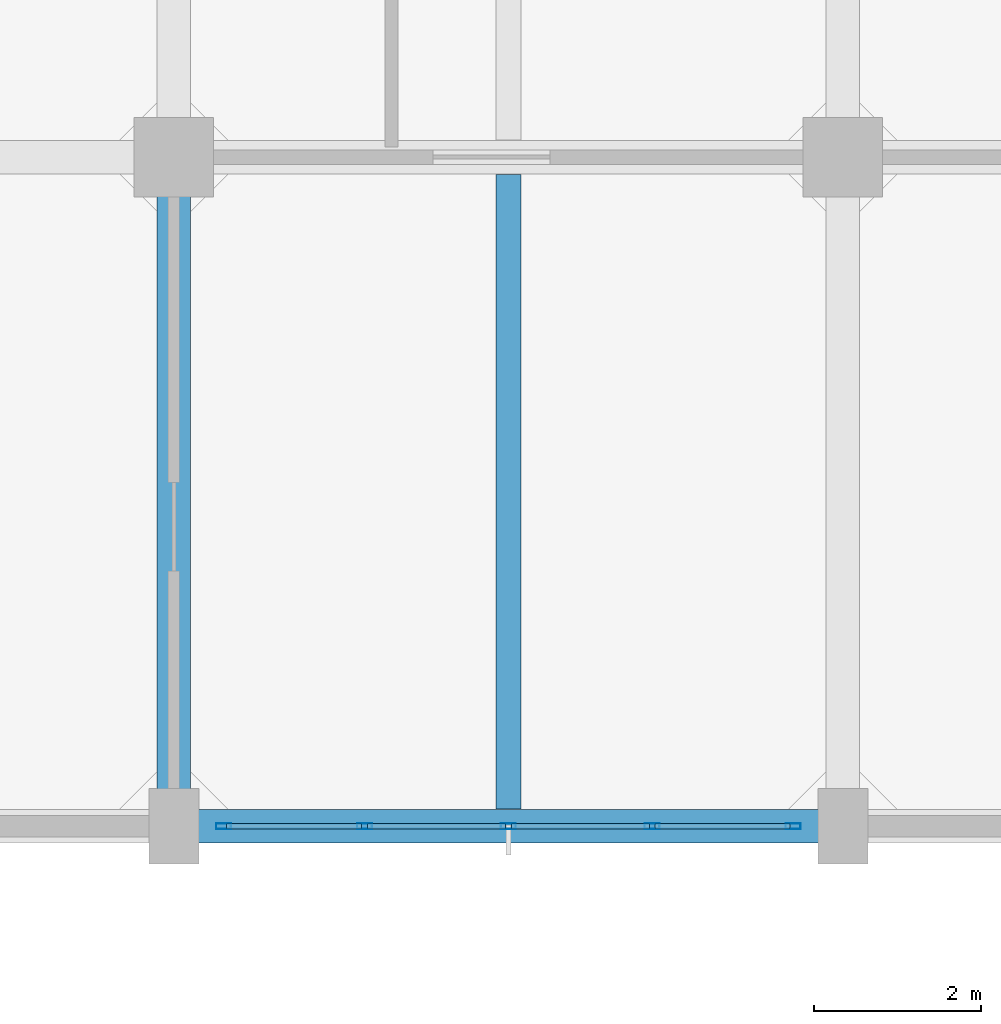
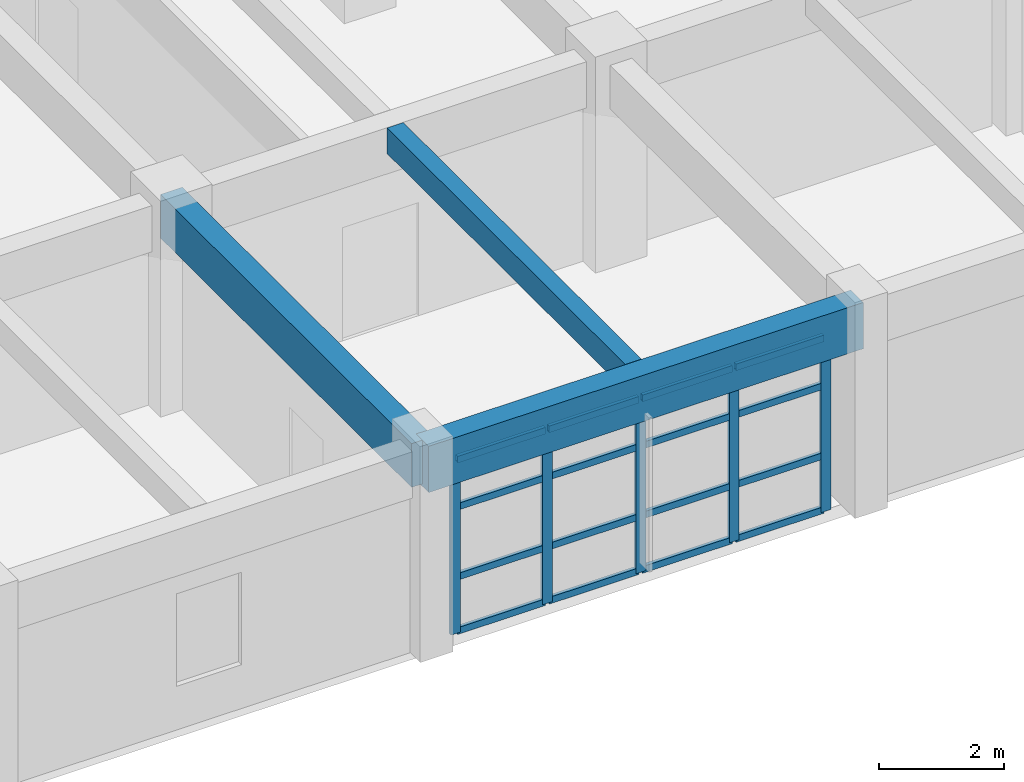
# One storey, part 12 of 35: 21 members, 3 beams, 1 element without a shape of its own.
"""IFC4 building model written with IfcOpenShell, lengths in metres."""

from ifc_helpers import new_model, si_unit, direction, frame, origin, origin_2d, place, context, subcontext, project, spatial, rectangle, hollow_rectangle, extrude, material, layer, layer_set, material_profile, profile_set, type_object, element, aggregate, save


model = new_model("IFC4")

# Units and contexts
model_context = context("Model", 3, precision=1e-05, world=origin(), true_north=direction((0.0, 1.0)))
body_context = subcontext(model_context, "Body", "Model", "MODEL_VIEW")
ifc_project = project(units=[si_unit("LENGTHUNIT", "METRE"), si_unit("AREAUNIT", "SQUARE_METRE"), si_unit("VOLUMEUNIT", "CUBIC_METRE"), si_unit("PLANEANGLEUNIT", "RADIAN"), si_unit("MASSUNIT", "GRAM", prefix="KILO")], contexts=[model_context])

# Site, building, storey
site_placement = place(None, origin())
site = spatial("IfcSite", under=ifc_project, at=site_placement, CompositionType="ELEMENT")
building_placement = place(site_placement, origin())
building = spatial("IfcBuilding", under=site, at=building_placement, Name="Canggui Botanical Conservatory", CompositionType="ELEMENT")
storey_placement = place(building_placement, frame((0.0, 0.0, 15.0)))
storey = spatial("IfcBuildingStorey", under=building, at=storey_placement, Name="L04", CompositionType="ELEMENT", Elevation=15.0)

# Beams
ifc_material_1 = material(Name="Concrete C35", Category="concrete")
ifc_material_profile_1 = material_profile(ifc_material_1, rectangle(XDim=0.300048828125, YDim=0.5, at=origin_2d()), Name="RB 300x500")
ifc_profile_set_1 = profile_set([ifc_material_profile_1], Name="Concrete C35")
beam_type_1 = type_object("IfcBeamType", Name="BM-JST02", PredefinedType="JOIST", material=ifc_profile_set_1)
beam_1_placement = place(storey_placement, frame((166.0, 26.205078125, 3.699951171875), z_axis=(0.0, 1.0, 0.0), x_axis=(-1.0, 0.0, 0.0)))
element("IfcBeam", 1, at=beam_1_placement, inside=storey, type_object=beam_type_1, Name="Secondary Floor Joist L04-4-1", PredefinedType="JOIST", context=body_context, shape_type="SweptSolid", body=[
    extrude(rectangle(XDim=0.300048828125, YDim=0.5, at=origin_2d()), origin(), (0.0, 0.0, 1.0), 7.58984375),
])
ifc_material_profile_2 = material_profile(ifc_material_1, rectangle(XDim=0.39990234375, YDim=0.89990234375, at=origin_2d()), Name="RB 400x900")
ifc_profile_set_2 = profile_set([ifc_material_profile_2], Name="Concrete C35")
beam_type_2 = type_object("IfcBeamType", Name="BM-KL07", PredefinedType="BEAM", material=ifc_profile_set_2)
beam_2_placement = place(storey_placement, frame((162.0, 26.0, 3.5), z_axis=(1.0, 0.0, 0.0), x_axis=(0.0, 1.0, 0.0)))
element("IfcBeam", 2, at=beam_2_placement, inside=storey, type_object=beam_type_2, Name="Frame Girder L04 Y26-4", PredefinedType="BEAM", context=body_context, shape_type="SweptSolid", body=[
    extrude(rectangle(XDim=0.39990234375, YDim=0.89990234375, at=origin_2d()), origin(), (0.0, 0.0, 1.0), 8.0),
])
ifc_material_profile_3 = material_profile(ifc_material_1, rectangle(XDim=0.39990234375, YDim=0.85009765625, at=origin_2d()), Name="RB 400x850")
ifc_profile_set_3 = profile_set([ifc_material_profile_3], Name="Concrete C35")
beam_type_3 = type_object("IfcBeamType", Name="BM-KL08", PredefinedType="BEAM", material=ifc_profile_set_3)
beam_3_placement = place(storey_placement, frame((162.0, 26.0, 3.52490234375), z_axis=(0.0, 1.0, 0.0), x_axis=(-1.0, 0.0, 0.0)))
element("IfcBeam", 3, at=beam_3_placement, inside=storey, type_object=beam_type_3, Name="Frame Girder L04 X162-1", PredefinedType="BEAM", context=body_context, shape_type="SweptSolid", body=[
    extrude(rectangle(XDim=0.39990234375, YDim=0.85009765625, at=origin_2d()), origin(), (0.0, 0.0, 1.0), 8.0),
])

# Curtain wall, members
ifc_material_2 = material(Name="Thermally Broken Aluminium", Category="aluminium")
ifc_layer = layer(ifc_material_2, 0.179931640625, Name="Thermally Broken Aluminium", Category="aluminium")
ifc_layer_set = layer_set([ifc_layer], Name="Thermally Broken Aluminium")
curtain_wall_type = type_object("IfcCurtainWallType", Name="CW-UNIT-A", PredefinedType="USERDEFINED", material=ifc_layer_set)
curtain_wall_placement = place(storey_placement, origin())
curtain_wall = element("IfcCurtainWall", 4, at=curtain_wall_placement, inside=storey, type_object=curtain_wall_type, Name="Facade Curtain Wall CW-TWR-L04-02", ObjectType="UNITISED CURTAIN WALL", PredefinedType="USERDEFINED")
ifc_material_profile_4 = material_profile(ifc_material_2, hollow_rectangle(XDim=0.070068359375, YDim=0.179931640625, WallThickness=0.00390625, at=origin_2d()), Name="CWM 70x180x4")
ifc_profile_set_4 = profile_set([ifc_material_profile_4], Name="Thermally Broken Aluminium")
member_type_1 = type_object("IfcMemberType", Name="CWM-01", PredefinedType="MULLION", material=ifc_profile_set_4)
member_1_placement = place(storey_placement, frame((169.405029296875, 26.0, 0.0), z_axis=(0.0, 0.0, 1.0), x_axis=(0.0, -1.0, 0.0)))
member_1 = element("IfcMember", 5, at=member_1_placement, type_object=member_type_1, Name="CW-01 mullion 1", PredefinedType="MULLION", context=body_context, shape_type="SweptSolid", body=[
    extrude(hollow_rectangle(XDim=0.070068359375, YDim=0.179931640625, WallThickness=0.00390625, at=origin_2d()), origin(), (0.0, 0.0, 1.0), 3.39990234375),
])
member_2_placement = place(storey_placement, frame((167.719970703125, 26.0, 0.0), z_axis=(0.0, 0.0, 1.0), x_axis=(0.0, -1.0, 0.0)))
member_2 = element("IfcMember", 6, at=member_2_placement, type_object=member_type_1, Name="CW-01 mullion 2", PredefinedType="MULLION", context=body_context, shape_type="SweptSolid", body=[
    extrude(hollow_rectangle(XDim=0.070068359375, YDim=0.179931640625, WallThickness=0.00390625, at=origin_2d()), origin(), (0.0, 0.0, 1.0), 3.39990234375),
])
member_3_placement = place(storey_placement, frame((166.0, 26.0, 0.0), z_axis=(0.0, 0.0, 1.0), x_axis=(0.0, -1.0, 0.0)))
member_3 = element("IfcMember", 7, at=member_3_placement, type_object=member_type_1, Name="CW-01 mullion 3", PredefinedType="MULLION", context=body_context, shape_type="SweptSolid", body=[
    extrude(hollow_rectangle(XDim=0.070068359375, YDim=0.179931640625, WallThickness=0.00390625, at=origin_2d()), origin(), (0.0, 0.0, 1.0), 3.39990234375),
])
member_4_placement = place(storey_placement, frame((164.280029296875, 26.0, 0.0), z_axis=(0.0, 0.0, 1.0), x_axis=(0.0, -1.0, 0.0)))
member_4 = element("IfcMember", 8, at=member_4_placement, type_object=member_type_1, Name="CW-01 mullion 4", PredefinedType="MULLION", context=body_context, shape_type="SweptSolid", body=[
    extrude(hollow_rectangle(XDim=0.070068359375, YDim=0.179931640625, WallThickness=0.00390625, at=origin_2d()), origin(), (0.0, 0.0, 1.0), 3.39990234375),
])
member_5_placement = place(storey_placement, frame((162.594970703125, 26.0, 0.0), z_axis=(0.0, 0.0, 1.0), x_axis=(0.0, -1.0, 0.0)))
member_5 = element("IfcMember", 9, at=member_5_placement, type_object=member_type_1, Name="CW-01 mullion 5", PredefinedType="MULLION", context=body_context, shape_type="SweptSolid", body=[
    extrude(hollow_rectangle(XDim=0.070068359375, YDim=0.179931640625, WallThickness=0.00390625, at=origin_2d()), origin(), (0.0, 0.0, 1.0), 3.39990234375),
])
ifc_material_profile_5 = material_profile(ifc_material_2, hollow_rectangle(XDim=0.06494140625, YDim=0.1298828125, WallThickness=0.00341796875, at=origin_2d()), Name="CWT 65x130x3.5")
ifc_profile_set_5 = profile_set([ifc_material_profile_5], Name="Thermally Broken Aluminium")
member_type_2 = type_object("IfcMemberType", Name="CWT-01", PredefinedType="USERDEFINED", material=ifc_profile_set_5)
member_6_placement = place(storey_placement, frame((169.3701171875, 26.0, 0.032470703125), z_axis=(-1.0, 0.0, 0.0), x_axis=(0.0, -1.0, 0.0)))
member_6 = element("IfcMember", 10, at=member_6_placement, type_object=member_type_2, Name="CW-01 transom 1.1", ObjectType="TRANSOM", PredefinedType="USERDEFINED", context=body_context, shape_type="SweptSolid", body=[
    extrude(hollow_rectangle(XDim=0.06494140625, YDim=0.1298828125, WallThickness=0.00341796875, at=origin_2d()), origin(), (0.0, 0.0, 1.0), 1.615234375),
])
member_7_placement = place(storey_placement, frame((169.3701171875, 26.0, 1.087890625), z_axis=(-1.0, 0.0, 0.0), x_axis=(0.0, -1.0, 0.0)))
member_7 = element("IfcMember", 11, at=member_7_placement, type_object=member_type_2, Name="CW-01 transom 1.2", ObjectType="TRANSOM", PredefinedType="USERDEFINED", context=body_context, shape_type="SweptSolid", body=[
    extrude(hollow_rectangle(XDim=0.06494140625, YDim=0.1298828125, WallThickness=0.00341796875, at=origin_2d()), origin(), (0.0, 0.0, 1.0), 1.615234375),
])
member_8_placement = place(storey_placement, frame((169.3701171875, 26.0, 2.447998046875), z_axis=(-1.0, 0.0, 0.0), x_axis=(0.0, -1.0, 0.0)))
member_8 = element("IfcMember", 12, at=member_8_placement, type_object=member_type_2, Name="CW-01 transom 1.3", ObjectType="TRANSOM", PredefinedType="USERDEFINED", context=body_context, shape_type="SweptSolid", body=[
    extrude(hollow_rectangle(XDim=0.06494140625, YDim=0.1298828125, WallThickness=0.00341796875, at=origin_2d()), origin(), (0.0, 0.0, 1.0), 1.615234375),
])
member_9_placement = place(storey_placement, frame((169.3701171875, 26.0, 3.367431640625), z_axis=(-1.0, 0.0, 0.0), x_axis=(0.0, -1.0, 0.0)))
member_9 = element("IfcMember", 13, at=member_9_placement, type_object=member_type_2, Name="CW-01 transom 1.4", ObjectType="TRANSOM", PredefinedType="USERDEFINED", context=body_context, shape_type="SweptSolid", body=[
    extrude(hollow_rectangle(XDim=0.06494140625, YDim=0.1298828125, WallThickness=0.00341796875, at=origin_2d()), origin(), (0.0, 0.0, 1.0), 1.615234375),
])
member_10_placement = place(storey_placement, frame((167.68505859375, 26.0, 0.032470703125), z_axis=(-1.0, 0.0, 0.0), x_axis=(0.0, -1.0, 0.0)))
member_10 = element("IfcMember", 14, at=member_10_placement, type_object=member_type_2, Name="CW-01 transom 2.1", ObjectType="TRANSOM", PredefinedType="USERDEFINED", context=body_context, shape_type="SweptSolid", body=[
    extrude(hollow_rectangle(XDim=0.06494140625, YDim=0.1298828125, WallThickness=0.00341796875, at=origin_2d()), origin(), (0.0, 0.0, 1.0), 1.650146484375),
])
member_11_placement = place(storey_placement, frame((167.68505859375, 26.0, 1.087890625), z_axis=(-1.0, 0.0, 0.0), x_axis=(0.0, -1.0, 0.0)))
member_11 = element("IfcMember", 15, at=member_11_placement, type_object=member_type_2, Name="CW-01 transom 2.2", ObjectType="TRANSOM", PredefinedType="USERDEFINED", context=body_context, shape_type="SweptSolid", body=[
    extrude(hollow_rectangle(XDim=0.06494140625, YDim=0.1298828125, WallThickness=0.00341796875, at=origin_2d()), origin(), (0.0, 0.0, 1.0), 1.650146484375),
])
member_12_placement = place(storey_placement, frame((167.68505859375, 26.0, 2.447998046875), z_axis=(-1.0, 0.0, 0.0), x_axis=(0.0, -1.0, 0.0)))
member_12 = element("IfcMember", 16, at=member_12_placement, type_object=member_type_2, Name="CW-01 transom 2.3", ObjectType="TRANSOM", PredefinedType="USERDEFINED", context=body_context, shape_type="SweptSolid", body=[
    extrude(hollow_rectangle(XDim=0.06494140625, YDim=0.1298828125, WallThickness=0.00341796875, at=origin_2d()), origin(), (0.0, 0.0, 1.0), 1.650146484375),
])
member_13_placement = place(storey_placement, frame((167.68505859375, 26.0, 3.367431640625), z_axis=(-1.0, 0.0, 0.0), x_axis=(0.0, -1.0, 0.0)))
member_13 = element("IfcMember", 17, at=member_13_placement, type_object=member_type_2, Name="CW-01 transom 2.4", ObjectType="TRANSOM", PredefinedType="USERDEFINED", context=body_context, shape_type="SweptSolid", body=[
    extrude(hollow_rectangle(XDim=0.06494140625, YDim=0.1298828125, WallThickness=0.00341796875, at=origin_2d()), origin(), (0.0, 0.0, 1.0), 1.650146484375),
])
member_14_placement = place(storey_placement, frame((165.965087890625, 26.0, 0.032470703125), z_axis=(-1.0, 0.0, 0.0), x_axis=(0.0, -1.0, 0.0)))
member_14 = element("IfcMember", 18, at=member_14_placement, type_object=member_type_2, Name="CW-01 transom 3.1", ObjectType="TRANSOM", PredefinedType="USERDEFINED", context=body_context, shape_type="SweptSolid", body=[
    extrude(hollow_rectangle(XDim=0.06494140625, YDim=0.1298828125, WallThickness=0.00341796875, at=origin_2d()), origin(), (0.0, 0.0, 1.0), 1.650146484375),
])
member_15_placement = place(storey_placement, frame((165.965087890625, 26.0, 1.087890625), z_axis=(-1.0, 0.0, 0.0), x_axis=(0.0, -1.0, 0.0)))
member_15 = element("IfcMember", 19, at=member_15_placement, type_object=member_type_2, Name="CW-01 transom 3.2", ObjectType="TRANSOM", PredefinedType="USERDEFINED", context=body_context, shape_type="SweptSolid", body=[
    extrude(hollow_rectangle(XDim=0.06494140625, YDim=0.1298828125, WallThickness=0.00341796875, at=origin_2d()), origin(), (0.0, 0.0, 1.0), 1.650146484375),
])
member_16_placement = place(storey_placement, frame((165.965087890625, 26.0, 2.447998046875), z_axis=(-1.0, 0.0, 0.0), x_axis=(0.0, -1.0, 0.0)))
member_16 = element("IfcMember", 20, at=member_16_placement, type_object=member_type_2, Name="CW-01 transom 3.3", ObjectType="TRANSOM", PredefinedType="USERDEFINED", context=body_context, shape_type="SweptSolid", body=[
    extrude(hollow_rectangle(XDim=0.06494140625, YDim=0.1298828125, WallThickness=0.00341796875, at=origin_2d()), origin(), (0.0, 0.0, 1.0), 1.650146484375),
])
member_17_placement = place(storey_placement, frame((165.965087890625, 26.0, 3.367431640625), z_axis=(-1.0, 0.0, 0.0), x_axis=(0.0, -1.0, 0.0)))
member_17 = element("IfcMember", 21, at=member_17_placement, type_object=member_type_2, Name="CW-01 transom 3.4", ObjectType="TRANSOM", PredefinedType="USERDEFINED", context=body_context, shape_type="SweptSolid", body=[
    extrude(hollow_rectangle(XDim=0.06494140625, YDim=0.1298828125, WallThickness=0.00341796875, at=origin_2d()), origin(), (0.0, 0.0, 1.0), 1.650146484375),
])
member_18_placement = place(storey_placement, frame((164.2451171875, 26.0, 0.032470703125), z_axis=(-1.0, 0.0, 0.0), x_axis=(0.0, -1.0, 0.0)))
member_18 = element("IfcMember", 22, at=member_18_placement, type_object=member_type_2, Name="CW-01 transom 4.1", ObjectType="TRANSOM", PredefinedType="USERDEFINED", context=body_context, shape_type="SweptSolid", body=[
    extrude(hollow_rectangle(XDim=0.06494140625, YDim=0.1298828125, WallThickness=0.00341796875, at=origin_2d()), origin(), (0.0, 0.0, 1.0), 1.615234375),
])
member_19_placement = place(storey_placement, frame((164.2451171875, 26.0, 1.087890625), z_axis=(-1.0, 0.0, 0.0), x_axis=(0.0, -1.0, 0.0)))
member_19 = element("IfcMember", 23, at=member_19_placement, type_object=member_type_2, Name="CW-01 transom 4.2", ObjectType="TRANSOM", PredefinedType="USERDEFINED", context=body_context, shape_type="SweptSolid", body=[
    extrude(hollow_rectangle(XDim=0.06494140625, YDim=0.1298828125, WallThickness=0.00341796875, at=origin_2d()), origin(), (0.0, 0.0, 1.0), 1.615234375),
])
member_20_placement = place(storey_placement, frame((164.2451171875, 26.0, 2.447998046875), z_axis=(-1.0, 0.0, 0.0), x_axis=(0.0, -1.0, 0.0)))
member_20 = element("IfcMember", 24, at=member_20_placement, type_object=member_type_2, Name="CW-01 transom 4.3", ObjectType="TRANSOM", PredefinedType="USERDEFINED", context=body_context, shape_type="SweptSolid", body=[
    extrude(hollow_rectangle(XDim=0.06494140625, YDim=0.1298828125, WallThickness=0.00341796875, at=origin_2d()), origin(), (0.0, 0.0, 1.0), 1.615234375),
])
member_21_placement = place(storey_placement, frame((164.2451171875, 26.0, 3.367431640625), z_axis=(-1.0, 0.0, 0.0), x_axis=(0.0, -1.0, 0.0)))
member_21 = element("IfcMember", 25, at=member_21_placement, type_object=member_type_2, Name="CW-01 transom 4.4", ObjectType="TRANSOM", PredefinedType="USERDEFINED", context=body_context, shape_type="SweptSolid", body=[
    extrude(hollow_rectangle(XDim=0.06494140625, YDim=0.1298828125, WallThickness=0.00341796875, at=origin_2d()), origin(), (0.0, 0.0, 1.0), 1.615234375),
])
aggregate(curtain_wall, [member_1, member_2, member_3, member_4, member_5, member_6, member_7, member_8, member_9, member_10, member_11, member_12, member_13, member_14, member_15, member_16, member_17, member_18, member_19, member_20, member_21])

save(model, "model.ifc")
